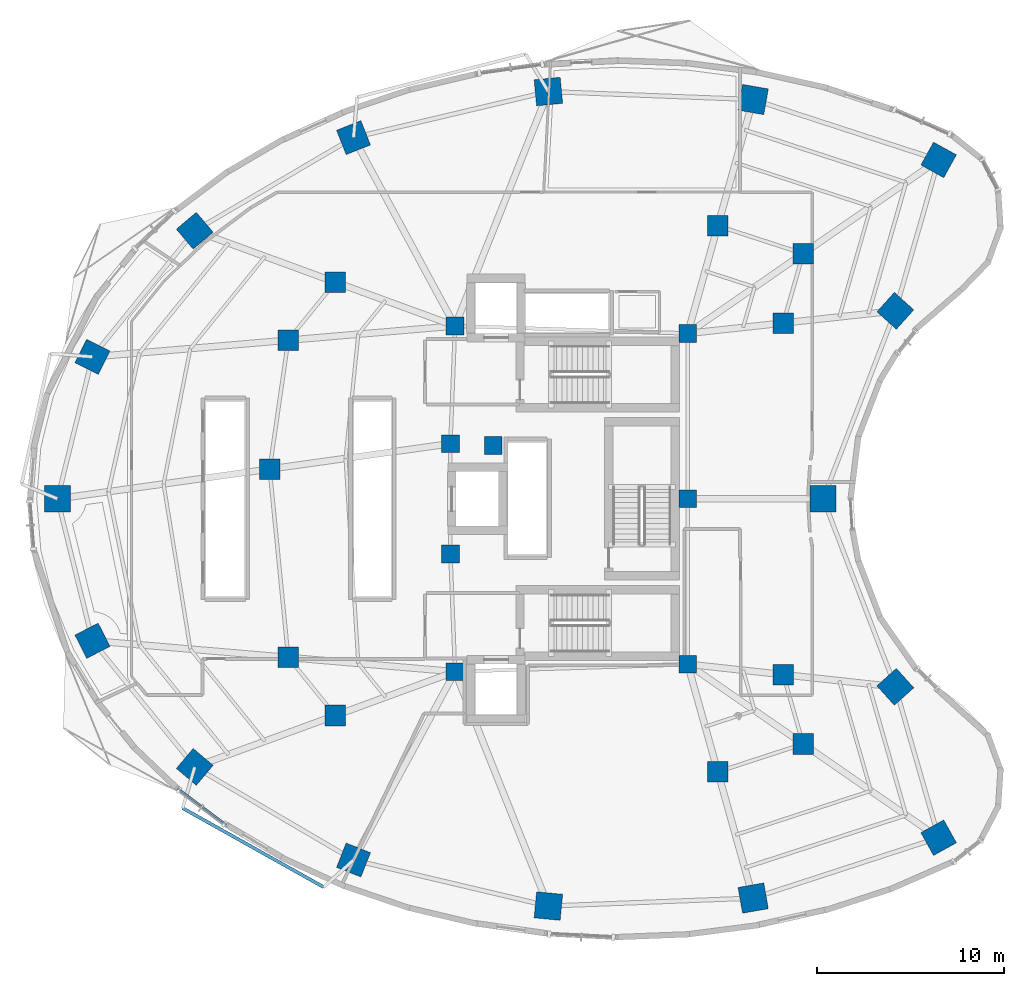
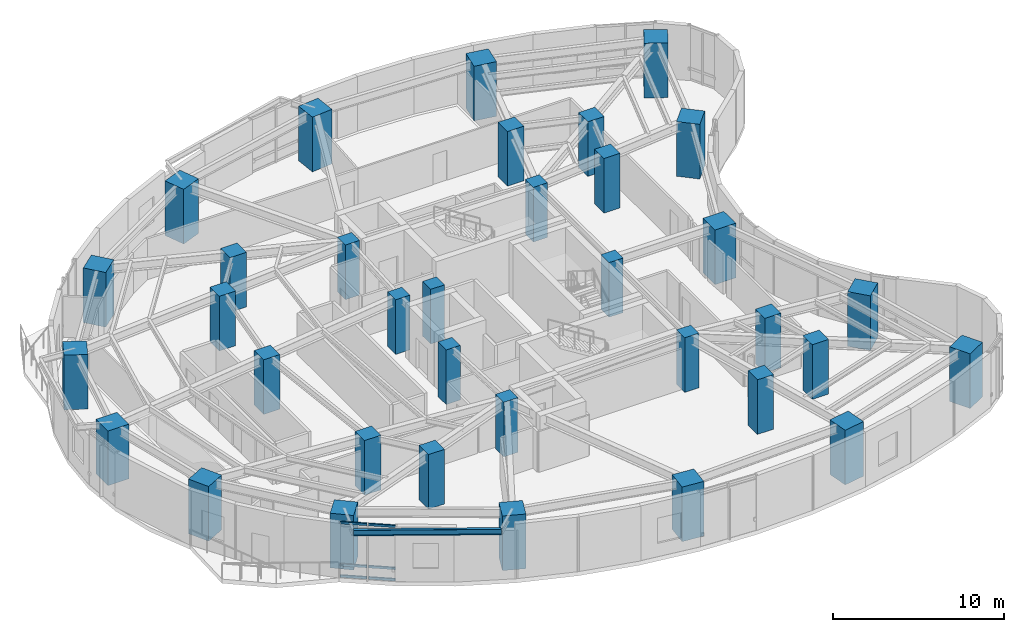
# One storey, part 1 of 14: 35 columns, 6 members, 1 beam, 1 element without a shape of its own.
"""IFC4 building model written with IfcOpenShell, lengths in metres."""

from ifc_helpers import new_model, si_unit, direction, frame, origin, origin_2d, place, context, subcontext, project, spatial, rectangle, i_section, extrude, material, layer, layer_set, material_profile, profile_set, type_object, element, aggregate, save


model = new_model("IFC4")

# Units and contexts
model_context = context("Model", 3, precision=1e-05, world=origin(), true_north=direction((0.0, 1.0)))
body_context = subcontext(model_context, "Body", "Model", "MODEL_VIEW")
ifc_project = project(units=[si_unit("LENGTHUNIT", "METRE"), si_unit("AREAUNIT", "SQUARE_METRE"), si_unit("VOLUMEUNIT", "CUBIC_METRE"), si_unit("PLANEANGLEUNIT", "RADIAN"), si_unit("MASSUNIT", "GRAM", prefix="KILO")], contexts=[model_context])

# Site, building, storey
site_placement = place(None, origin())
site = spatial("IfcSite", under=ifc_project, at=site_placement, CompositionType="ELEMENT")
building_placement = place(site_placement, origin())
building = spatial("IfcBuilding", under=site, at=building_placement, Name="Korentha Bioscience Tower", CompositionType="ELEMENT")
storey_placement = place(building_placement, frame((0.0, 0.0, 63.60009765625)))
storey = spatial("IfcBuildingStorey", under=building, at=storey_placement, Name="L14", CompositionType="ELEMENT", Elevation=63.60009765625)

# Columns
ifc_material_1 = material(Name="Concrete C65", Category="concrete")
ifc_material_profile_1 = material_profile(ifc_material_1, rectangle(XDim=0.949951171875, YDim=0.949951171875, at=origin_2d()), Name="Concrete C65")
ifc_profile_set_1 = profile_set([ifc_material_profile_1], Name="Concrete C65 (COL-CP09)")
column_type_1 = type_object("IfcColumnType", Name="Core Pilaster Column RC 950x950", PredefinedType="PILASTER", material=ifc_profile_set_1)
for number, where, z_axis, x_axis, name in (
    (1, (37.550048828125, 35.85009765625, -0.00048828125), (0.0, 0.0, 1.0), (1.0, 0.0, 0.0), "L14 Core Pilaster CP-01"),
    (2, (25.10009765625, 36.25, -0.00048828125), (0.0, 0.0, 1.0), (1.0, 0.0, 0.0), "L14 Core Pilaster CP-02"),
    (3, (24.85009765625, 29.949951171875, -0.00048828125), (0.0, 0.0, 1.0), (1.0, 0.0, 0.0), "L14 Core Pilaster CP-03"),
    (4, (27.14990234375, 29.85009765625, -0.00048828125), (0.0, 0.0, 1.0), (1.0, 0.0, 0.0), "L14 Core Pilaster CP-04"),
    (5, (24.85009765625, 24.050048828125, -0.00048828125), (0.0, 0.0, 1.0), (1.0, 0.0, 0.0), "L14 Core Pilaster CP-05"),
    (6, (25.10009765625, 17.75, -0.00048828125), (0.0, 0.0, 1.0), (1.0, 0.0, 0.0), "L14 Core Pilaster CP-06"),
    (7, (37.550048828125, 18.14990234375, -0.00048828125), (0.0, 0.0, 1.0), (1.0, 0.0, 0.0), "L14 Core Pilaster CP-07"),
    (8, (37.550048828125, 27.0, -0.00048828125), (0.0, 0.0, 1.0), (1.0, 0.0, 0.0), "L14 Core Pilaster CP-08"),
):
    element("IfcColumn", number, at=place(storey_placement, frame(where, z_axis=z_axis, x_axis=x_axis)), inside=storey, type_object=column_type_1, Name=name, PredefinedType="PILASTER", context=body_context, shape_type="SweptSolid", body=[
        extrude(rectangle(XDim=0.949951171875, YDim=0.949951171875, at=origin_2d()), origin(), (0.0, 0.0, 1.0), 3.90087890625),
    ])
ifc_material_2 = material(Name="Concrete C80", Category="concrete")
ifc_material_profile_2 = material_profile(ifc_material_2, rectangle(XDim=1.10009765625, YDim=1.10009765625, at=origin_2d()), Name="Concrete C80")
ifc_profile_set_2 = profile_set([ifc_material_profile_2], Name="Concrete C80 (COL-MR11)")
column_type_2 = type_object("IfcColumnType", Name="Mid-Ring Lab Column RC 1100x1100", PredefinedType="COLUMN", material=ifc_profile_set_2)
for number, where, z_axis, x_axis, name in (
    (9, (43.7265625, 40.121337890625, -0.00048828125), (0.0, 0.0, 1.0), (1.0, 0.0, 0.0), "L14 Mid-Ring Column 01"),
    (10, (39.1611328125, 41.607666015625, -0.00048828125), (0.0, 0.0, 1.0), (1.0, 0.0, 0.0), "L14 Mid-Ring Column 02"),
    (11, (18.692138671875, 38.5947265625, -0.00048828125), (0.0, 0.0, 1.0), (1.0, 0.0, 0.0), "L14 Mid-Ring Column 05"),
    (12, (16.174072265625, 35.489013671875, -0.00048828125), (0.0, 0.0, 1.0), (1.0, 0.0, 0.0), "L14 Mid-Ring Column 06"),
    (13, (15.1787109375, 28.593505859375, -0.00048828125), (0.0, 0.0, 1.0), (1.0, 0.0, 0.0), "L14 Mid-Ring Column 07"),
    (14, (16.174072265625, 18.510986328125, -0.00048828125), (0.0, 0.0, 1.0), (1.0, 0.0, 0.0), "L14 Mid-Ring Column 08"),
    (15, (18.692138671875, 15.4052734375, -0.00048828125), (0.0, 0.0, 1.0), (1.0, 0.0, 0.0), "L14 Mid-Ring Column 09"),
    (16, (39.1611328125, 12.392333984375, -0.00048828125), (0.0, 0.0, 1.0), (1.0, 0.0, 0.0), "L14 Mid-Ring Column 12"),
    (17, (43.7265625, 13.878662109375, -0.00048828125), (0.0, 0.0, 1.0), (1.0, 0.0, 0.0), "L14 Mid-Ring Column 13"),
    (18, (42.66162109375, 17.593017578125, -0.00048828125), (0.0, 0.0, 1.0), (1.0, 0.0, 0.0), "L14 Mid-Ring Column 14"),
    (19, (42.66162109375, 36.406982421875, -0.00048828125), (0.0, 0.0, 1.0), (1.0, 0.0, 0.0), "L14 Mid-Ring Column 16"),
):
    element("IfcColumn", number, at=place(storey_placement, frame(where, z_axis=z_axis, x_axis=x_axis)), inside=storey, type_object=column_type_2, Name=name, PredefinedType="COLUMN", context=body_context, shape_type="SweptSolid", body=[
        extrude(rectangle(XDim=1.10009765625, YDim=1.10009765625, at=origin_2d()), origin(), (0.0, 0.0, 1.0), 3.90087890625),
    ])
ifc_material_profile_3 = material_profile(ifc_material_2, rectangle(XDim=1.39990234375, YDim=1.39990234375, at=origin_2d()), Name="Concrete C80")
ifc_profile_set_3 = profile_set([ifc_material_profile_3], Name="Concrete C80 (COL-P14)")
column_type_3 = type_object("IfcColumnType", Name="Perimeter Column RC 1400x1400", PredefinedType="COLUMN", material=ifc_profile_set_3)
for number, where, z_axis, x_axis, name in (
    (20, (50.977294921875, 45.135498046875, -0.00048828125), (0.0, 0.0, 1.0), (-0.874535078577, 0.484962262797, 0.0), "L14 Perimeter Column 01"),
    (21, (41.052490234375, 48.36669921875, -0.00048828125), (0.0, 0.0, 1.0), (-0.984868307662, 0.173304404339, 0.0), "L14 Perimeter Column 02"),
    (22, (30.09423828125, 48.79248046875, -0.00048828125), (0.0, 0.0, 1.0), (0.995462868748, 0.095150811579, 0.0), "L14 Perimeter Column 03"),
    (23, (19.66650390625, 46.328857421875, -0.00048828125), (0.0, 0.0, 1.0), (0.930225540858, 0.366988341962, 0.0), "L14 Perimeter Column 04"),
    (24, (11.169921875, 41.34716796875, -0.00048828125), (0.0, 0.0, 1.0), (0.764246456939, 0.644924300253, 0.0), "L14 Perimeter Column 05"),
    (25, (5.69580078125, 34.595703125, -0.00048828125), (0.0, 0.0, 1.0), (0.453057191132, 0.891481453292, 0.0), "L14 Perimeter Column 06"),
    (26, (3.825439453125, 27.000732421875, -0.00048828125), (0.0, 0.0, 1.0), (0.0, 1.0, 0.0), "L14 Perimeter Column 07"),
    (27, (5.69580078125, 19.404296875, -0.00048828125), (0.0, 0.0, 1.0), (-0.453057191132, 0.891481453292, 0.0), "L14 Perimeter Column 08"),
    (28, (11.169921875, 12.65283203125, -0.00048828125), (0.0, 0.0, 1.0), (-0.764246456939, 0.644924300253, 0.0), "L14 Perimeter Column 09"),
    (29, (19.66650390625, 7.671142578125, -0.00048828125), (0.0, 0.0, 1.0), (-0.930225540858, 0.366988341962, 0.0), "L14 Perimeter Column 10"),
    (30, (30.09423828125, 5.20751953125, -0.00048828125), (0.0, 0.0, 1.0), (-0.995462868748, 0.095150811579, 0.0), "L14 Perimeter Column 11"),
    (31, (41.052490234375, 5.63330078125, -0.00048828125), (0.0, 0.0, 1.0), (0.984868307662, 0.173304404339, 0.0), "L14 Perimeter Column 12"),
    (32, (50.977294921875, 8.864501953125, -0.00048828125), (0.0, 0.0, 1.0), (0.874535078577, 0.484962262797, 0.0), "L14 Perimeter Column 13"),
    (33, (48.661865234375, 16.939208984375, -0.00048828125), (0.0, 0.0, 1.0), (-0.669130606359, 0.743144825477, 0.0), "L14 Perimeter Column 14"),
    (34, (44.798583984375, 27.0, -0.00048828125), (0.0, 0.0, 1.0), (0.0, 1.0, 0.0), "L14 Perimeter Column 15"),
    (35, (48.661865234375, 37.060791015625, -0.00048828125), (0.0, 0.0, 1.0), (0.669130606359, 0.743144825477, 0.0), "L14 Perimeter Column 16"),
):
    element("IfcColumn", number, at=place(storey_placement, frame(where, z_axis=z_axis, x_axis=x_axis)), inside=storey, type_object=column_type_3, Name=name, PredefinedType="COLUMN", context=body_context, shape_type="SweptSolid", body=[
        extrude(rectangle(XDim=1.39990234375, YDim=1.39990234375, at=origin_2d()), origin(), (0.0, 0.0, 1.0), 3.90087890625),
    ])

# Beam
ifc_material_3 = material(Name="Steel S355", Category="steel")
ifc_material_profile_4 = material_profile(ifc_material_3, i_section(OverallWidth=0.177978515625, OverallDepth=0.406982421875, WebThickness=0.0078125, FlangeThickness=0.0126953125, at=origin_2d()), Name="Steel S355")
ifc_profile_set_4 = profile_set([ifc_material_profile_4], Name="Steel S355 (CB-410)")
beam_type = type_object("IfcBeamType", Name="Sun-Ledge Cantilever Beam W410x60", PredefinedType="BEAM", material=ifc_profile_set_4)
beam_placement = place(storey_placement, frame((10.52294921875, 10.44677734375, 3.698486328125), z_axis=(0.872528629193, -0.488562985948, 0.0), x_axis=(0.488562985948, 0.872528629193, 0.0)))
element("IfcBeam", 36, at=beam_placement, inside=storey, type_object=beam_type, Name="L14 Balcony Edge Trimmer Beam L15-03", PredefinedType="BEAM", context=body_context, shape_type="SweptSolid", body=[
    extrude(i_section(OverallWidth=0.177978515625, OverallDepth=0.406982421875, WebThickness=0.0078125, FlangeThickness=0.0126953125, at=origin_2d()), origin(), (0.0, 0.0, 1.0), 8.652587890625),
])

# Curtain wall, members
ifc_material_4 = material(Name="Thermally Broken Aluminium Frame", Category="aluminium")
ifc_layer = layer(ifc_material_4, 0.219970703125, Name="Thermally Broken Aluminium Frame")
ifc_layer_set = layer_set([ifc_layer], Name="Thermally Broken Aluminium Frame (CW-T2)")
curtain_wall_type = type_object("IfcCurtainWallType", Name="Solar-Screened Lab Unitised Curtain Wall CW-T2", PredefinedType="USERDEFINED", material=ifc_layer_set)
curtain_wall_placement = place(storey_placement, origin())
curtain_wall = element("IfcCurtainWall", 37, at=curtain_wall_placement, inside=storey, type_object=curtain_wall_type, Name="L14 Curtain Wall 25", ObjectType="UNITISED", PredefinedType="USERDEFINED")
ifc_material_5 = material(Name="Anodised Aluminium 6063-T6", Category="aluminium")
ifc_material_profile_5 = material_profile(ifc_material_5, rectangle(XDim=0.090087890625, YDim=0.159912109375, at=origin_2d()), Name="Anodised Aluminium 6063-T6")
ifc_profile_set_5 = profile_set([ifc_material_profile_5], Name="Anodised Aluminium 6063-T6 (CW-TRN)")
member_type = type_object("IfcMemberType", Name="Transom RECT 90x160", PredefinedType="USERDEFINED", material=ifc_profile_set_5)
member_1_placement = place(storey_placement, frame((10.2578125, 11.51171875, 0.044921875), z_axis=(0.8008676283, -0.598841416354, 0.0), x_axis=(0.598841416354, 0.8008676283, 0.0)))
member_1 = element("IfcMember", 38, at=member_1_placement, type_object=member_type, Name="CW-L14-25 Bay 1 Transom 1", ObjectType="TRANSOM", PredefinedType="USERDEFINED", context=body_context, shape_type="SweptSolid", body=[
    extrude(rectangle(XDim=0.090087890625, YDim=0.159912109375, at=origin_2d()), origin(), (0.0, 0.0, 1.0), 1.58544921875),
])
member_2_placement = place(storey_placement, frame((10.2578125, 11.51171875, 0.849853515625), z_axis=(0.8008676283, -0.598841416354, 0.0), x_axis=(0.598841416354, 0.8008676283, 0.0)))
member_2 = element("IfcMember", 39, at=member_2_placement, type_object=member_type, Name="CW-L14-25 Bay 1 Transom 2", ObjectType="TRANSOM", PredefinedType="USERDEFINED", context=body_context, shape_type="SweptSolid", body=[
    extrude(rectangle(XDim=0.090087890625, YDim=0.159912109375, at=origin_2d()), origin(), (0.0, 0.0, 1.0), 1.58544921875),
])
member_3_placement = place(storey_placement, frame((10.2578125, 11.51171875, 3.85498046875), z_axis=(0.8008676283, -0.598841416354, 0.0), x_axis=(0.598841416354, 0.8008676283, 0.0)))
member_3 = element("IfcMember", 40, at=member_3_placement, type_object=member_type, Name="CW-L14-25 Bay 1 Transom 3", ObjectType="TRANSOM", PredefinedType="USERDEFINED", context=body_context, shape_type="SweptSolid", body=[
    extrude(rectangle(XDim=0.090087890625, YDim=0.159912109375, at=origin_2d()), origin(), (0.0, 0.0, 1.0), 1.58544921875),
])
member_4_placement = place(storey_placement, frame((11.599609375, 10.50830078125, 0.044921875), z_axis=(0.800738536228, -0.59901402037, 0.0), x_axis=(0.59901402037, 0.800738536228, 0.0)))
member_4 = element("IfcMember", 41, at=member_4_placement, type_object=member_type, Name="CW-L14-25 Bay 2 Transom 1", ObjectType="TRANSOM", PredefinedType="USERDEFINED", context=body_context, shape_type="SweptSolid", body=[
    extrude(rectangle(XDim=0.090087890625, YDim=0.159912109375, at=origin_2d()), origin(), (0.0, 0.0, 1.0), 1.58544921875),
])
member_5_placement = place(storey_placement, frame((11.599609375, 10.50830078125, 0.849853515625), z_axis=(0.800738536228, -0.59901402037, 0.0), x_axis=(0.59901402037, 0.800738536228, 0.0)))
member_5 = element("IfcMember", 42, at=member_5_placement, type_object=member_type, Name="CW-L14-25 Bay 2 Transom 2", ObjectType="TRANSOM", PredefinedType="USERDEFINED", context=body_context, shape_type="SweptSolid", body=[
    extrude(rectangle(XDim=0.090087890625, YDim=0.159912109375, at=origin_2d()), origin(), (0.0, 0.0, 1.0), 1.58544921875),
])
member_6_placement = place(storey_placement, frame((11.599609375, 10.50830078125, 3.85498046875), z_axis=(0.800738536228, -0.59901402037, 0.0), x_axis=(0.59901402037, 0.800738536228, 0.0)))
member_6 = element("IfcMember", 43, at=member_6_placement, type_object=member_type, Name="CW-L14-25 Bay 2 Transom 3", ObjectType="TRANSOM", PredefinedType="USERDEFINED", context=body_context, shape_type="SweptSolid", body=[
    extrude(rectangle(XDim=0.090087890625, YDim=0.159912109375, at=origin_2d()), origin(), (0.0, 0.0, 1.0), 1.58544921875),
])
aggregate(curtain_wall, [member_1, member_2, member_3, member_4, member_5, member_6])

save(model, "model.ifc")
